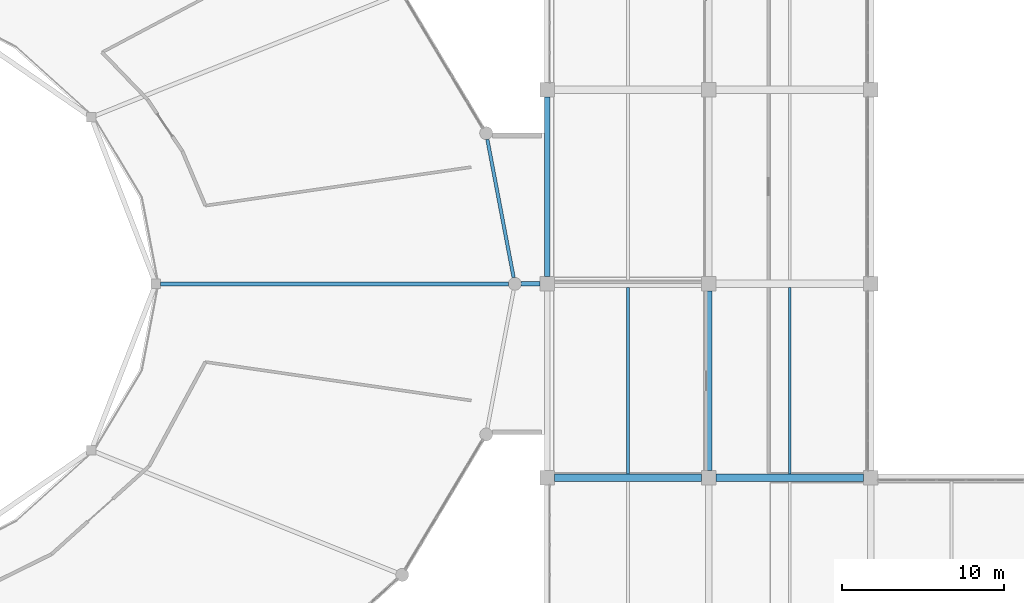
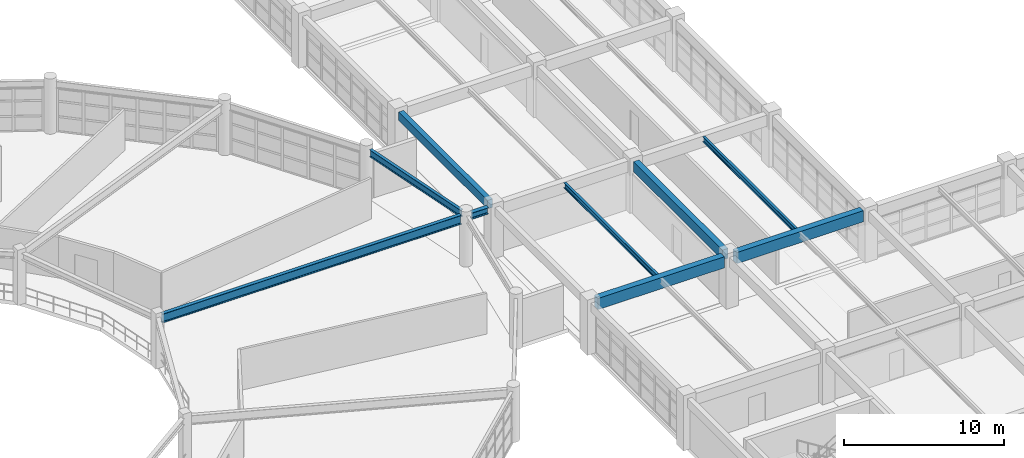
# One storey, part 42 of 100: 9 beams.
"""IFC4 building model written with IfcOpenShell, lengths in metres."""

from ifc_helpers import new_model, si_unit, direction, frame, origin, origin_2d, place, context, subcontext, project, spatial, rectangle, i_section, extrude, material, material_profile, profile_set, type_object, element, save


model = new_model("IFC4")

# Units and contexts
model_context = context("Model", 3, precision=1e-05, world=origin(), true_north=direction((0.0, 1.0)))
body_context = subcontext(model_context, "Body", "Model", "MODEL_VIEW")
ifc_project = project(units=[si_unit("LENGTHUNIT", "METRE"), si_unit("AREAUNIT", "SQUARE_METRE"), si_unit("VOLUMEUNIT", "CUBIC_METRE"), si_unit("PLANEANGLEUNIT", "RADIAN"), si_unit("MASSUNIT", "GRAM", prefix="KILO")], contexts=[model_context])

# Site, building, storey
site_placement = place(None, origin())
site = spatial("IfcSite", under=ifc_project, at=site_placement, CompositionType="ELEMENT")
building_placement = place(site_placement, origin())
building = spatial("IfcBuilding", under=site, at=building_placement, Name="Kivolera Central Railway Station", CompositionType="ELEMENT")
storey_placement = place(building_placement, frame((0.0, 0.0, 5.39990234375)))
storey = spatial("IfcBuildingStorey", under=building, at=storey_placement, Name="L01", CompositionType="ELEMENT", Elevation=5.39990234375)

# Beams
ifc_material_1 = material(Name="Steel S355", Category="steel")
ifc_material_profile_1 = material_profile(ifc_material_1, i_section(OverallWidth=0.179931640625, OverallDepth=0.39990234375, WebThickness=0.008544921875, FlangeThickness=0.013427734375, FilletRadius=0.02099609375, at=origin_2d()), Name="IPE 400")
ifc_profile_set_1 = profile_set([ifc_material_profile_1], Name="Steel S355")
beam_type_1 = type_object("IfcBeamType", Name="BM-JST-IPE400", PredefinedType="JOIST", material=ifc_profile_set_1)
for number, where, z_axis, x_axis, name in (
    (1, (123.0, 78.217041015625, 3.668212890625), (0.0, 1.0, 0.0), (-1.0, 0.0, 0.0), "L01 Floor Joist 12-13/G-H"),
    (2, (133.0, 78.217041015625, 3.668212890625), (0.0, 1.0, 0.0), (-1.0, 0.0, 0.0), "L01 Floor Joist 13-14/G-H"),
):
    element("IfcBeam", number, at=place(storey_placement, frame(where, z_axis=z_axis, x_axis=x_axis)), inside=storey, type_object=beam_type_1, Name=name, PredefinedType="JOIST", context=body_context, shape_type="SweptSolid", body=[
        extrude(i_section(OverallWidth=0.179931640625, OverallDepth=0.39990234375, WebThickness=0.008544921875, FlangeThickness=0.013427734375, FilletRadius=0.02099609375, at=origin_2d()), origin(), (0.0, 0.0, 1.0), 11.56591796875),
    ])
ifc_material_2 = material(Name="Concrete C40/50", Category="concrete")
ifc_material_profile_2 = material_profile(ifc_material_2, rectangle(XDim=0.39990234375, YDim=0.75, at=origin_2d()), Name="RC 400x750")
ifc_profile_set_2 = profile_set([ifc_material_profile_2], Name="Concrete C40/50")
beam_type_2 = type_object("IfcBeamType", Name="BM-RC-400x750", PredefinedType="BEAM", material=ifc_profile_set_2)
beam_1_placement = place(storey_placement, frame((128.0, 78.44189453125, 3.505126953125), z_axis=(0.0, 1.0, 0.0), x_axis=(-1.0, 0.0, 0.0)))
element("IfcBeam", 3, at=beam_1_placement, inside=storey, type_object=beam_type_2, Name="L01 Wing Y-Beam 13:G-H", PredefinedType="BEAM", context=body_context, shape_type="SweptSolid", body=[
    extrude(rectangle(XDim=0.39990234375, YDim=0.75, at=origin_2d()), origin(), (0.0, 0.0, 1.0), 11.1162109375),
])
ifc_material_profile_3 = material_profile(ifc_material_2, rectangle(XDim=0.449951171875, YDim=0.85009765625, at=origin_2d()), Name="RC 450x850")
ifc_profile_set_3 = profile_set([ifc_material_profile_3], Name="Concrete C40/50")
beam_type_3 = type_object("IfcBeamType", Name="BM-RC-450x850", PredefinedType="BEAM", material=ifc_profile_set_3)
for number, where, z_axis, x_axis, name in (
    (4, (118.44189453125, 78.0, 3.455078125), (1.0, 0.0, 0.0), (0.0, 1.0, 0.0), "L01 Wing X-Beam G:12-13"),
    (5, (128.44189453125, 78.0, 3.455078125), (1.0, 0.0, 0.0), (0.0, 1.0, 0.0), "L01 Wing X-Beam G:13-14"),
):
    element("IfcBeam", number, at=place(storey_placement, frame(where, z_axis=z_axis, x_axis=x_axis)), inside=storey, type_object=beam_type_3, Name=name, PredefinedType="BEAM", context=body_context, shape_type="SweptSolid", body=[
        extrude(rectangle(XDim=0.449951171875, YDim=0.85009765625, at=origin_2d()), origin(), (0.0, 0.0, 1.0), 9.1162109375),
    ])
ifc_material_profile_4 = material_profile(ifc_material_1, i_section(OverallWidth=0.300048828125, OverallDepth=0.489990234375, WebThickness=0.011962890625, FlangeThickness=0.02294921875, FilletRadius=0.027099609375, at=origin_2d()), Name="HEA 500")
ifc_profile_set_4 = profile_set([ifc_material_profile_4], Name="Steel S355")
beam_type_4 = type_object("IfcBeamType", Name="BM-SHD-HEA500", PredefinedType="BEAM", material=ifc_profile_set_4)
beam_2_placement = place(storey_placement, frame((116.3798828125, 90.0, 3.550048828125), z_axis=(1.0, 0.0, 0.0), x_axis=(0.0, 1.0, 0.0)))
element("IfcBeam", 6, at=beam_2_placement, inside=storey, type_object=beam_type_4, Name="L01 Oval-to-Wing Structural Frame Tie Beam", PredefinedType="BEAM", context=body_context, shape_type="SweptSolid", body=[
    extrude(i_section(OverallWidth=0.300048828125, OverallDepth=0.489990234375, WebThickness=0.011962890625, FlangeThickness=0.02294921875, FilletRadius=0.027099609375, at=origin_2d()), origin(), (0.0, 0.0, 1.0), 1.18017578125),
])
ifc_material_profile_5 = material_profile(ifc_material_1, i_section(OverallWidth=0.209228515625, OverallDepth=0.533203125, WebThickness=0.010009765625, FlangeThickness=0.015625, FilletRadius=0.0126953125, at=origin_2d()), Name="UB 533x210x92")
ifc_profile_set_5 = profile_set([ifc_material_profile_5], Name="Steel S355")
beam_type_5 = type_object("IfcBeamType", Name="BM-SHD-UB533", PredefinedType="BEAM", material=ifc_profile_set_5)
beam_3_placement = place(storey_placement, frame((115.927001953125, 90.383056640625, 3.611083984375), z_axis=(-0.186802767636, 0.982397437906, 0.0), x_axis=(-0.982397437906, -0.186802767636, 0.0)))
element("IfcBeam", 7, at=beam_3_placement, inside=storey, type_object=beam_type_5, Name="L01 Oval Perimeter Ring Beam 01", PredefinedType="BEAM", context=body_context, shape_type="SweptSolid", body=[
    extrude(i_section(OverallWidth=0.209228515625, OverallDepth=0.533203125, WebThickness=0.010009765625, FlangeThickness=0.015625, FilletRadius=0.0126953125, at=origin_2d()), origin(), (0.0, 0.0, 1.0), 8.704345703125),
])
ifc_material_profile_6 = material_profile(ifc_material_1, i_section(OverallWidth=0.253662109375, OverallDepth=0.68359375, WebThickness=0.012451171875, FlangeThickness=0.01904296875, FilletRadius=0.01513671875, at=origin_2d()), Name="UB 686x254x140")
ifc_profile_set_6 = profile_set([ifc_material_profile_6], Name="Steel S355")
beam_type_6 = type_object("IfcBeamType", Name="BM-SHD-UB686", PredefinedType="BEAM", material=ifc_profile_set_6)
beam_4_placement = place(storey_placement, frame((94.092041015625, 90.0, 3.5361328125), z_axis=(1.0, 0.0, 0.0), x_axis=(0.0, 1.0, 0.0)))
element("IfcBeam", 8, at=beam_4_placement, inside=storey, type_object=beam_type_6, Name="L01 Oval Gallery Radial Girder 01", PredefinedType="BEAM", context=body_context, shape_type="SweptSolid", body=[
    extrude(i_section(OverallWidth=0.253662109375, OverallDepth=0.68359375, WebThickness=0.012451171875, FlangeThickness=0.01904296875, FilletRadius=0.01513671875, at=origin_2d()), origin(), (0.0, 0.0, 1.0), 21.51806640625),
])
ifc_material_profile_7 = material_profile(ifc_material_2, rectangle(XDim=0.35009765625, YDim=0.64990234375, at=origin_2d()), Name="RC 350x650")
ifc_profile_set_7 = profile_set([ifc_material_profile_7], Name="Concrete C40/50")
beam_type_7 = type_object("IfcBeamType", Name="BM-SPN-RC650", PredefinedType="SPANDREL", material=ifc_profile_set_7)
beam_5_placement = place(storey_placement, frame((118.0, 90.44189453125, 3.55517578125), z_axis=(0.0, 1.0, 0.0), x_axis=(-1.0, 0.0, 0.0)))
element("IfcBeam", 9, at=beam_5_placement, inside=storey, type_object=beam_type_7, Name="L01 Wing Y-Beam 12:H-J", PredefinedType="SPANDREL", context=body_context, shape_type="SweptSolid", body=[
    extrude(rectangle(XDim=0.35009765625, YDim=0.64990234375, at=origin_2d()), origin(), (0.0, 0.0, 1.0), 11.1162109375),
])

save(model, "model.ifc")
